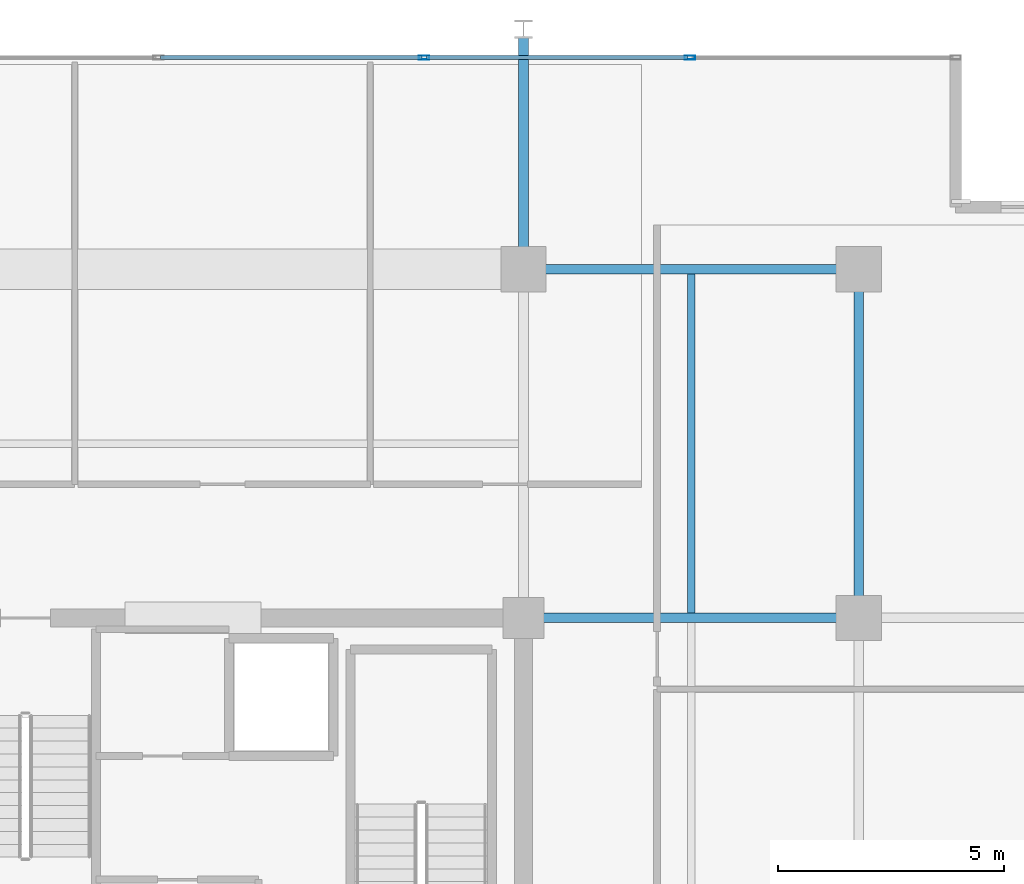
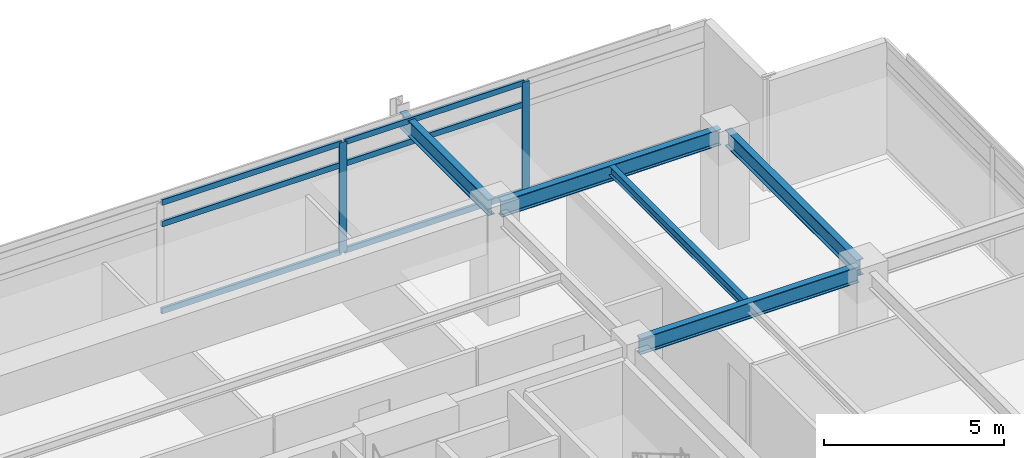
# One storey, part 11 of 21: 8 members, 5 beams, 1 element without a shape of its own.
"""IFC4 building model written with IfcOpenShell, lengths in metres."""

from ifc_helpers import new_model, si_unit, direction, frame, origin, origin_2d, place, context, subcontext, project, spatial, hollow_rectangle, i_section, extrude, material, material_profile, profile_set, type_object, element, aggregate, save


model = new_model("IFC4")

# Units and contexts
model_context = context("Model", 3, precision=1e-05, world=origin(), true_north=direction((0.0, 1.0)))
body_context = subcontext(model_context, "Body", "Model", "MODEL_VIEW")
ifc_project = project(units=[si_unit("LENGTHUNIT", "METRE"), si_unit("AREAUNIT", "SQUARE_METRE"), si_unit("VOLUMEUNIT", "CUBIC_METRE"), si_unit("PLANEANGLEUNIT", "RADIAN"), si_unit("MASSUNIT", "GRAM", prefix="KILO")], contexts=[model_context])

# Site, building, storey
site_placement = place(None, origin())
site = spatial("IfcSite", under=ifc_project, at=site_placement, CompositionType="ELEMENT")
building_placement = place(site_placement, origin())
building = spatial("IfcBuilding", under=site, at=building_placement, Name="Kovane Verandah Tower", CompositionType="ELEMENT")
storey_placement = place(building_placement, frame((0.0, 0.0, 310.800048828125)))
storey = spatial("IfcBuildingStorey", under=building, at=storey_placement, Name="L72", CompositionType="ELEMENT", Elevation=310.800048828125)

# Beams
ifc_material_1 = material(Name="Steel S355", Category="steel")
ifc_material_profile_1 = material_profile(ifc_material_1, i_section(OverallWidth=0.2119140625, OverallDepth=0.54443359375, WebThickness=0.0126953125, FlangeThickness=0.021240234375, FilletRadius=0.0126953125, at=origin_2d()), Name="UB533x210x122")
ifc_profile_set_1 = profile_set([ifc_material_profile_1], Name="Steel S355")
beam_type_1 = type_object("IfcBeamType", Name="BM-UB533x122", PredefinedType="BEAM", material=ifc_profile_set_1)
beam_1_placement = place(storey_placement, frame((51.179931640625, 44.199951171875, 3.5126953125), z_axis=(1.0, 0.0, 0.0), x_axis=(0.0, 1.0, 0.0)))
element("IfcBeam", 1, at=beam_1_placement, inside=storey, type_object=beam_type_1, Name="L72 Primary Tower Girder G-RN3", PredefinedType="BEAM", context=body_context, shape_type="SweptSolid", body=[
    extrude(i_section(OverallWidth=0.2119140625, OverallDepth=0.54443359375, WebThickness=0.0126953125, FlangeThickness=0.021240234375, FilletRadius=0.0126953125, at=origin_2d()), origin(), (0.0, 0.0, 1.0), 7.0400390625),
])
beam_2_placement = place(storey_placement, frame((58.39990234375, 36.679931640625, 3.5126953125), z_axis=(0.0, 1.0, 0.0), x_axis=(-1.0, 0.0, 0.0)))
element("IfcBeam", 2, at=beam_2_placement, inside=storey, type_object=beam_type_1, Name="L72 Primary Tower Girder G-RE3", PredefinedType="BEAM", context=body_context, shape_type="SweptSolid", body=[
    extrude(i_section(OverallWidth=0.2119140625, OverallDepth=0.54443359375, WebThickness=0.0126953125, FlangeThickness=0.021240234375, FilletRadius=0.0126953125, at=origin_2d()), origin(), (0.0, 0.0, 1.0), 7.340087890625),
])
beam_3_placement = place(storey_placement, frame((51.179931640625, 36.5, 3.5126953125), z_axis=(1.0, 0.0, 0.0), x_axis=(0.0, 1.0, 0.0)))
element("IfcBeam", 3, at=beam_3_placement, inside=storey, type_object=beam_type_1, Name="L72 Primary Tower Girder G-E2", PredefinedType="BEAM", context=body_context, shape_type="SweptSolid", body=[
    extrude(i_section(OverallWidth=0.2119140625, OverallDepth=0.54443359375, WebThickness=0.0126953125, FlangeThickness=0.021240234375, FilletRadius=0.0126953125, at=origin_2d()), origin(), (0.0, 0.0, 1.0), 7.0400390625),
])
beam_4_placement = place(storey_placement, frame((51.0, 44.3798828125, 3.48779296875), z_axis=(0.0, 1.0, 0.0), x_axis=(-1.0, 0.0, 0.0)))
element("IfcBeam", 4, at=beam_4_placement, inside=storey, type_object=beam_type_1, Name="L72 Primary Tower Girder G-VN2", PredefinedType="BEAM", context=body_context, shape_type="SweptSolid", body=[
    extrude(i_section(OverallWidth=0.2119140625, OverallDepth=0.54443359375, WebThickness=0.0126953125, FlangeThickness=0.021240234375, FilletRadius=0.0126953125, at=origin_2d()), origin(), (0.0, 0.0, 1.0), 4.940185546875),
])

# Curtain wall, members
ifc_material_2 = material(Name="Champagne Anodised Aluminium Frame with Low-E Clear Laminated Glass", Category="aluminium")
curtain_wall_type = type_object("IfcCurtainWallType", Name="CW-SYS-05-HIGH", PredefinedType="NOTDEFINED", material=ifc_material_2)
curtain_wall_placement = place(storey_placement, origin())
curtain_wall = element("IfcCurtainWall", 5, at=curtain_wall_placement, inside=storey, type_object=curtain_wall_type, Name="L72 N Unitised Curtain Wall", PredefinedType="NOTDEFINED")
ifc_material_3 = material(Name="Champagne Anodised Aluminium 6063-T6", Category="aluminium")
ifc_material_profile_2 = material_profile(ifc_material_3, hollow_rectangle(XDim=0.0849609375, YDim=0.22998046875, WallThickness=0.00390625, at=origin_2d()), Name="AL85x230x4")
ifc_profile_set_2 = profile_set([ifc_material_profile_2], Name="Champagne Anodised Aluminium 6063-T6")
member_type_1 = type_object("IfcMemberType", Name="CW-MUL-85x230", PredefinedType="MULLION", material=ifc_profile_set_2)
member_1_placement = place(storey_placement, frame((54.674560546875, 48.872314453125, 0.02001953125), z_axis=(0.0, 0.0, 1.0), x_axis=(0.0, 1.0, 0.0)))
member_1 = element("IfcMember", 6, at=member_1_placement, type_object=member_type_1, Name="L72 N Unitised Curtain Wall Mullion 2", PredefinedType="MULLION", context=body_context, shape_type="SweptSolid", body=[
    extrude(hollow_rectangle(XDim=0.0849609375, YDim=0.22998046875, WallThickness=0.00390625, at=origin_2d()), origin(), (0.0, 0.0, 1.0), 3.744873046875),
])
member_2_placement = place(storey_placement, frame((48.8046875, 48.872314453125, 0.02001953125), z_axis=(0.0, 0.0, 1.0), x_axis=(0.0, 1.0, 0.0)))
member_2 = element("IfcMember", 7, at=member_2_placement, type_object=member_type_1, Name="L72 N Unitised Curtain Wall Mullion 3", PredefinedType="MULLION", context=body_context, shape_type="SweptSolid", body=[
    extrude(hollow_rectangle(XDim=0.0849609375, YDim=0.22998046875, WallThickness=0.00390625, at=origin_2d()), origin(), (0.0, 0.0, 1.0), 3.744873046875),
])
ifc_material_profile_3 = material_profile(ifc_material_3, hollow_rectangle(XDim=0.0849609375, YDim=0.18994140625, WallThickness=0.00390625, at=origin_2d()), Name="AL85x190x4")
ifc_profile_set_3 = profile_set([ifc_material_profile_3], Name="Champagne Anodised Aluminium 6063-T6")
member_type_2 = type_object("IfcMemberType", Name="CW-TRN-85x190", PredefinedType="USERDEFINED", material=ifc_profile_set_3)
member_3_placement = place(storey_placement, frame((54.62451171875, 48.872314453125, 0.050048828125), z_axis=(-1.0, 0.0, 0.0), x_axis=(0.0, -1.0, 0.0)))
member_3 = element("IfcMember", 8, at=member_3_placement, type_object=member_type_2, Name="L72 N Unitised Curtain Wall Transom TB Bay 2", ObjectType="TRANSOM", PredefinedType="USERDEFINED", context=body_context, shape_type="SweptSolid", body=[
    extrude(hollow_rectangle(XDim=0.0849609375, YDim=0.18994140625, WallThickness=0.00390625, at=origin_2d()), origin(), (0.0, 0.0, 1.0), 5.769775390625),
])
member_4_placement = place(storey_placement, frame((54.62451171875, 48.872314453125, 3.0048828125), z_axis=(-1.0, 0.0, 0.0), x_axis=(0.0, -1.0, 0.0)))
member_4 = element("IfcMember", 9, at=member_4_placement, type_object=member_type_2, Name="L72 N Unitised Curtain Wall Transom TM Bay 2", ObjectType="TRANSOM", PredefinedType="USERDEFINED", context=body_context, shape_type="SweptSolid", body=[
    extrude(hollow_rectangle(XDim=0.0849609375, YDim=0.18994140625, WallThickness=0.00390625, at=origin_2d()), origin(), (0.0, 0.0, 1.0), 5.769775390625),
])
member_5_placement = place(storey_placement, frame((54.62451171875, 48.872314453125, 3.73486328125), z_axis=(-1.0, 0.0, 0.0), x_axis=(0.0, -1.0, 0.0)))
member_5 = element("IfcMember", 10, at=member_5_placement, type_object=member_type_2, Name="L72 N Unitised Curtain Wall Transom TT Bay 2", ObjectType="TRANSOM", PredefinedType="USERDEFINED", context=body_context, shape_type="SweptSolid", body=[
    extrude(hollow_rectangle(XDim=0.0849609375, YDim=0.18994140625, WallThickness=0.00390625, at=origin_2d()), origin(), (0.0, 0.0, 1.0), 5.769775390625),
])
member_6_placement = place(storey_placement, frame((48.754638671875, 48.872314453125, 0.050048828125), z_axis=(-1.0, 0.0, 0.0), x_axis=(0.0, -1.0, 0.0)))
member_6 = element("IfcMember", 11, at=member_6_placement, type_object=member_type_2, Name="L72 N Unitised Curtain Wall Transom TB Bay 3", ObjectType="TRANSOM", PredefinedType="USERDEFINED", context=body_context, shape_type="SweptSolid", body=[
    extrude(hollow_rectangle(XDim=0.0849609375, YDim=0.18994140625, WallThickness=0.00390625, at=origin_2d()), origin(), (0.0, 0.0, 1.0), 5.769775390625),
])
member_7_placement = place(storey_placement, frame((48.754638671875, 48.872314453125, 3.0048828125), z_axis=(-1.0, 0.0, 0.0), x_axis=(0.0, -1.0, 0.0)))
member_7 = element("IfcMember", 12, at=member_7_placement, type_object=member_type_2, Name="L72 N Unitised Curtain Wall Transom TM Bay 3", ObjectType="TRANSOM", PredefinedType="USERDEFINED", context=body_context, shape_type="SweptSolid", body=[
    extrude(hollow_rectangle(XDim=0.0849609375, YDim=0.18994140625, WallThickness=0.00390625, at=origin_2d()), origin(), (0.0, 0.0, 1.0), 5.769775390625),
])
member_8_placement = place(storey_placement, frame((48.754638671875, 48.872314453125, 3.73486328125), z_axis=(-1.0, 0.0, 0.0), x_axis=(0.0, -1.0, 0.0)))
member_8 = element("IfcMember", 13, at=member_8_placement, type_object=member_type_2, Name="L72 N Unitised Curtain Wall Transom TT Bay 3", ObjectType="TRANSOM", PredefinedType="USERDEFINED", context=body_context, shape_type="SweptSolid", body=[
    extrude(hollow_rectangle(XDim=0.0849609375, YDim=0.18994140625, WallThickness=0.00390625, at=origin_2d()), origin(), (0.0, 0.0, 1.0), 5.769775390625),
])
aggregate(curtain_wall, [member_1, member_2, member_3, member_4, member_5, member_6, member_7, member_8])

# Beam
ifc_material_profile_4 = material_profile(ifc_material_1, i_section(OverallWidth=0.1669921875, OverallDepth=0.310302734375, WebThickness=0.0078125, FlangeThickness=0.013671875, FilletRadius=0.0087890625, at=origin_2d()), Name="UB305x165x54")
ifc_profile_set_4 = profile_set([ifc_material_profile_4], Name="Steel S355")
beam_type_2 = type_object("IfcBeamType", Name="JST-UB305x54", PredefinedType="JOIST", material=ifc_profile_set_4)
beam_5_placement = place(storey_placement, frame((54.699951171875, 36.60400390625, 3.629638671875), z_axis=(0.0, 1.0, 0.0), x_axis=(-1.0, 0.0, 0.0)))
element("IfcBeam", 14, at=beam_5_placement, inside=storey, type_object=beam_type_2, Name="L72 Secondary Composite Joist J-NE1", PredefinedType="JOIST", context=body_context, shape_type="SweptSolid", body=[
    extrude(i_section(OverallWidth=0.1669921875, OverallDepth=0.310302734375, WebThickness=0.0078125, FlangeThickness=0.013671875, FilletRadius=0.0087890625, at=origin_2d()), origin(), (0.0, 0.0, 1.0), 7.491943359375),
])

save(model, "model.ifc")
